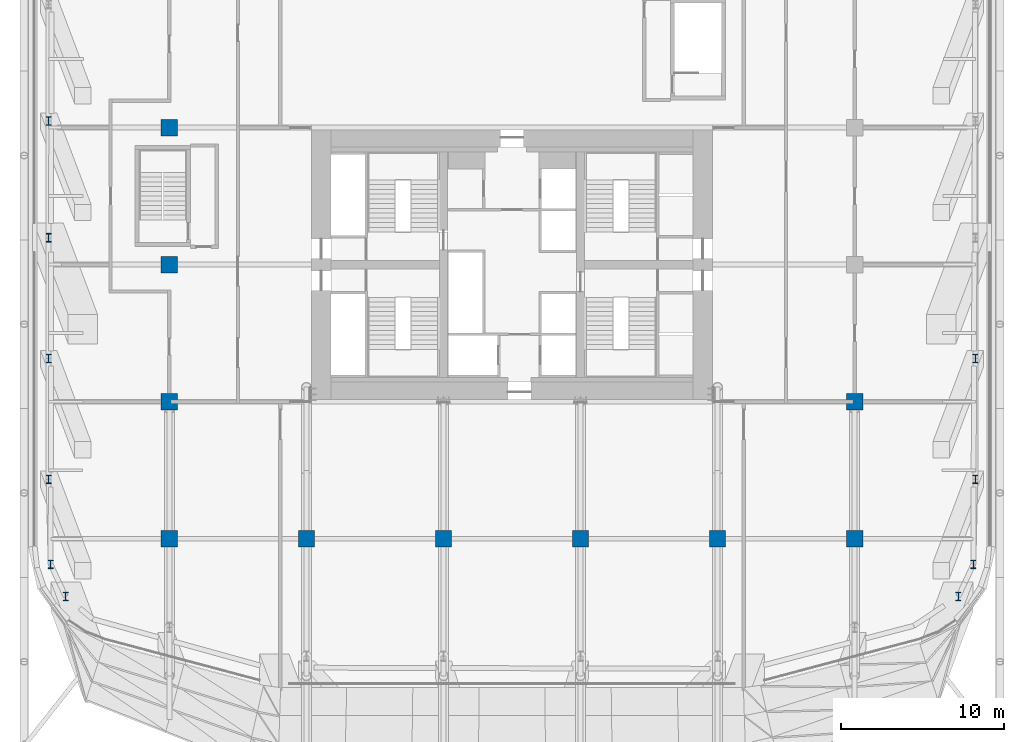
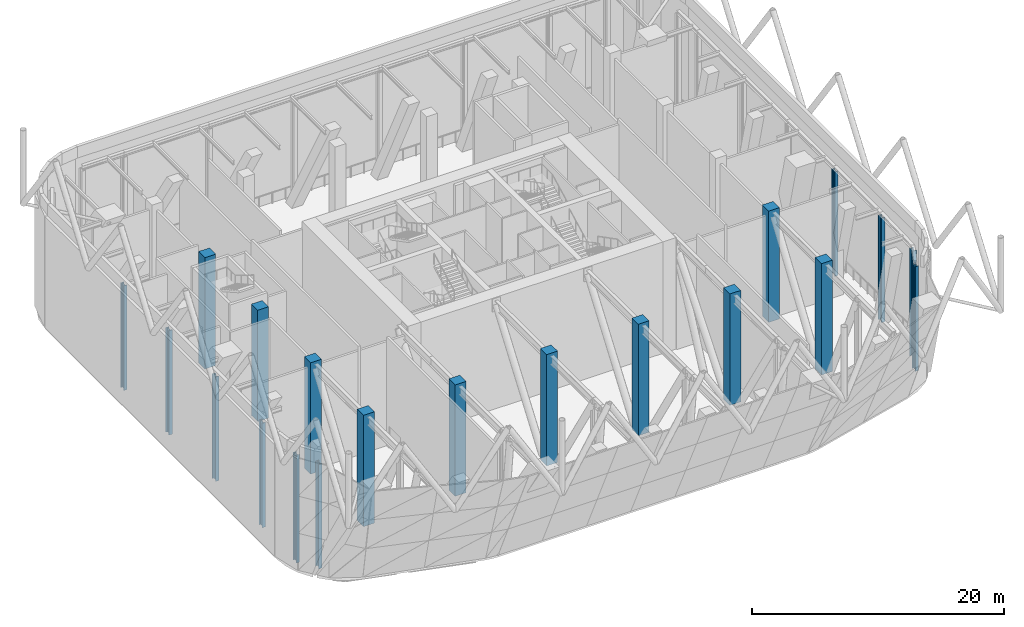
# One storey, part 1 of 19: 20 columns.
"""IFC4 building model written with IfcOpenShell, lengths in metres."""

from ifc_helpers import new_model, si_unit, direction, frame, origin, origin_2d, place, context, subcontext, project, spatial, rectangle, i_section, extrude, material, material_profile, profile_set, type_object, element, save


model = new_model("IFC4")

# Units and contexts
model_context = context("Model", 3, precision=1e-05, world=origin(), true_north=direction((0.0, 1.0)))
body_context = subcontext(model_context, "Body", "Model", "MODEL_VIEW")
ifc_project = project(units=[si_unit("LENGTHUNIT", "METRE"), si_unit("AREAUNIT", "SQUARE_METRE"), si_unit("VOLUMEUNIT", "CUBIC_METRE"), si_unit("PLANEANGLEUNIT", "RADIAN"), si_unit("MASSUNIT", "GRAM", prefix="KILO")], contexts=[model_context])

# Site, building, storey
site_placement = place(None, origin())
site = spatial("IfcSite", under=ifc_project, at=site_placement, CompositionType="ELEMENT")
building_placement = place(site_placement, origin())
building = spatial("IfcBuilding", under=site, at=building_placement, Name="Marenta Gate Hotel Tower", CompositionType="ELEMENT")
storey_placement = place(building_placement, frame((0.0, 0.0, 86.89990234375)))
storey = spatial("IfcBuildingStorey", under=building, at=storey_placement, Name="L20", CompositionType="ELEMENT", Elevation=86.89990234375)

# Columns
ifc_material_1 = material(Name="Concrete C80", Category="concrete")
ifc_material_profile_1 = material_profile(ifc_material_1, rectangle(XDim=1.0, YDim=1.0, at=origin_2d()), Name="1000 x 1000")
ifc_profile_set_1 = profile_set([ifc_material_profile_1], Name="Concrete C80")
column_type_1 = type_object("IfcColumnType", Name="Interior column 1000 x 1000 C80", PredefinedType="COLUMN", material=ifc_profile_set_1)
for number, where, z_axis, x_axis, name in (
    (1, (-21.0, -8.39990234375, 0.0), (0.0, 0.0, 1.0), (1.0, 0.0, 0.0), "L20-IC-4E"),
    (2, (-21.0, 0.0, 0.0), (0.0, 0.0, 1.0), (1.0, 0.0, 0.0), "L20-IC-4F"),
    (3, (-21.0, 8.39990234375, 0.0), (0.0, 0.0, 1.0), (1.0, 0.0, 0.0), "L20-IC-4G"),
    (4, (-21.0, 16.800048828125, 0.0), (0.0, 0.0, 1.0), (1.0, 0.0, 0.0), "L20-IC-4H"),
    (5, (-12.60009765625, -8.39990234375, 0.0), (0.0, 0.0, 1.0), (1.0, 0.0, 0.0), "L20-IC-5E"),
    (6, (-4.199951171875, -8.39990234375, 0.0), (0.0, 0.0, 1.0), (1.0, 0.0, 0.0), "L20-IC-6E"),
    (7, (4.199951171875, -8.39990234375, 0.0), (0.0, 0.0, 1.0), (1.0, 0.0, 0.0), "L20-IC-7E"),
    (8, (12.60009765625, -8.39990234375, 0.0), (0.0, 0.0, 1.0), (1.0, 0.0, 0.0), "L20-IC-8E"),
    (9, (21.0, -8.39990234375, 0.0), (0.0, 0.0, 1.0), (1.0, 0.0, 0.0), "L20-IC-9E"),
    (10, (21.0, 0.0, 0.0), (0.0, 0.0, 1.0), (1.0, 0.0, 0.0), "L20-IC-9F"),
):
    element("IfcColumn", number, at=place(storey_placement, frame(where, z_axis=z_axis, x_axis=x_axis)), inside=storey, type_object=column_type_1, Name=name, PredefinedType="COLUMN", context=body_context, shape_type="SweptSolid", body=[
        extrude(rectangle(XDim=1.0, YDim=1.0, at=origin_2d()), origin(), (0.0, 0.0, 1.0), 10.800048828125),
    ])
ifc_material_2 = material(Name="Steel S355", Category="steel")
ifc_material_profile_2 = material_profile(ifc_material_2, i_section(OverallWidth=0.305908203125, OverallDepth=0.52392578125, WebThickness=0.02392578125, FlangeThickness=0.0400390625, FilletRadius=0.027099609375, at=origin_2d()), Name="HEM 500")
ifc_profile_set_2 = profile_set([ifc_material_profile_2], Name="Steel S355")
column_type_2 = type_object("IfcColumnType", Name="Terrace post HEM 500", PredefinedType="COLUMN", material=ifc_profile_set_2)
column_1_placement = place(storey_placement, frame((-27.358154296875, -11.92919921875, 0.0), z_axis=(0.0, 0.0, 1.0), x_axis=(1.0, 0.0, 0.0)))
element("IfcColumn", 11, at=column_1_placement, inside=storey, type_object=column_type_2, Name="TP-HEM500 L20-TP-1", PredefinedType="COLUMN", context=body_context, shape_type="SweptSolid", body=[
    extrude(i_section(OverallWidth=0.305908203125, OverallDepth=0.52392578125, WebThickness=0.02392578125, FlangeThickness=0.0400390625, FilletRadius=0.027099609375, at=origin_2d()), origin(), (0.0, 0.0, 1.0), 10.14013671875),
])
column_2_placement = place(storey_placement, frame((-28.275146484375, -9.96728515625, -0.2998046875), z_axis=(0.0, 0.0, 1.0), x_axis=(1.0, 0.0, 0.0)))
element("IfcColumn", 12, at=column_2_placement, inside=storey, type_object=column_type_2, Name="TP-HEM500 L20-TP-2", PredefinedType="COLUMN", context=body_context, shape_type="SweptSolid", body=[
    extrude(i_section(OverallWidth=0.305908203125, OverallDepth=0.52392578125, WebThickness=0.02392578125, FlangeThickness=0.0400390625, FilletRadius=0.027099609375, at=origin_2d()), origin(), (0.0, 0.0, 1.0), 10.43994140625),
])
for number, where, z_axis, x_axis, name in (
    (13, (-28.39990234375, -4.751953125, 0.0), (0.0, 0.0, 1.0), (1.0, 0.0, 0.0), "TP-HEM500 L20-TP-3"),
    (14, (-28.39990234375, 2.649169921875, 0.0), (0.0, 0.0, 1.0), (1.0, 0.0, 0.0), "TP-HEM500 L20-TP-4"),
    (15, (-28.39990234375, 10.050048828125, 0.0), (0.0, 0.0, 1.0), (1.0, 0.0, 0.0), "TP-HEM500 L20-TP-5"),
    (16, (-28.39990234375, 17.203125, 0.0), (0.0, 0.0, 1.0), (1.0, 0.0, 0.0), "TP-HEM500 L20-TP-6"),
    (17, (28.39990234375, 2.649169921875, 0.0), (0.0, 0.0, 1.0), (1.0, 0.0, 0.0), "TP-HEM500 L20-TP-23"),
    (18, (28.39990234375, -4.751953125, 0.0), (0.0, 0.0, 1.0), (1.0, 0.0, 0.0), "TP-HEM500 L20-TP-24"),
):
    element("IfcColumn", number, at=place(storey_placement, frame(where, z_axis=z_axis, x_axis=x_axis)), inside=storey, type_object=column_type_2, Name=name, PredefinedType="COLUMN", context=body_context, shape_type="SweptSolid", body=[
        extrude(i_section(OverallWidth=0.305908203125, OverallDepth=0.52392578125, WebThickness=0.02392578125, FlangeThickness=0.0400390625, FilletRadius=0.027099609375, at=origin_2d()), origin(), (0.0, 0.0, 1.0), 10.14013671875),
    ])
column_3_placement = place(storey_placement, frame((28.275146484375, -9.96728515625, -0.2998046875), z_axis=(0.0, 0.0, 1.0), x_axis=(1.0, 0.0, 0.0)))
element("IfcColumn", 19, at=column_3_placement, inside=storey, type_object=column_type_2, Name="TP-HEM500 L20-TP-25", PredefinedType="COLUMN", context=body_context, shape_type="SweptSolid", body=[
    extrude(i_section(OverallWidth=0.305908203125, OverallDepth=0.52392578125, WebThickness=0.02392578125, FlangeThickness=0.0400390625, FilletRadius=0.027099609375, at=origin_2d()), origin(), (0.0, 0.0, 1.0), 10.43994140625),
])
column_4_placement = place(storey_placement, frame((27.358154296875, -11.92919921875, 0.0), z_axis=(0.0, 0.0, 1.0), x_axis=(1.0, 0.0, 0.0)))
element("IfcColumn", 20, at=column_4_placement, inside=storey, type_object=column_type_2, Name="TP-HEM500 L20-TP-26", PredefinedType="COLUMN", context=body_context, shape_type="SweptSolid", body=[
    extrude(i_section(OverallWidth=0.305908203125, OverallDepth=0.52392578125, WebThickness=0.02392578125, FlangeThickness=0.0400390625, FilletRadius=0.027099609375, at=origin_2d()), origin(), (0.0, 0.0, 1.0), 10.14013671875),
])

save(model, "model.ifc")
